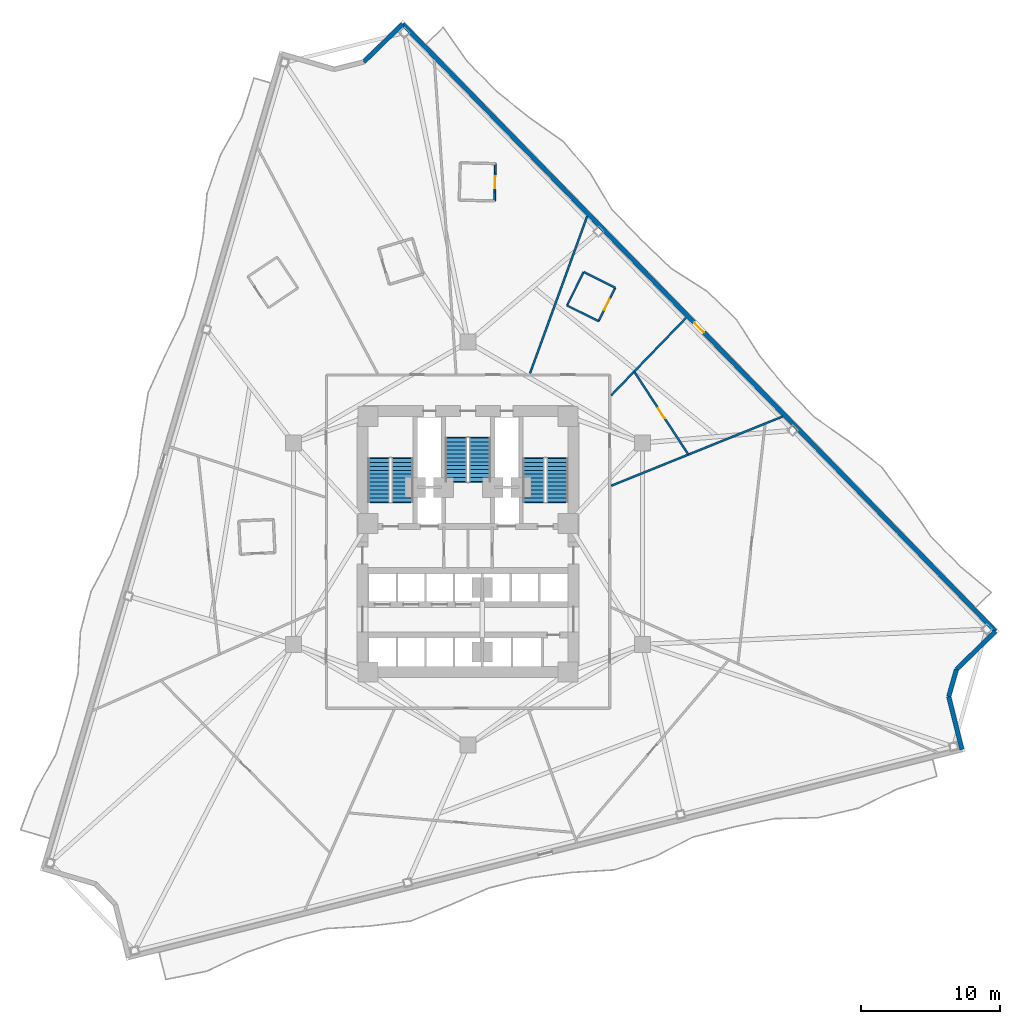
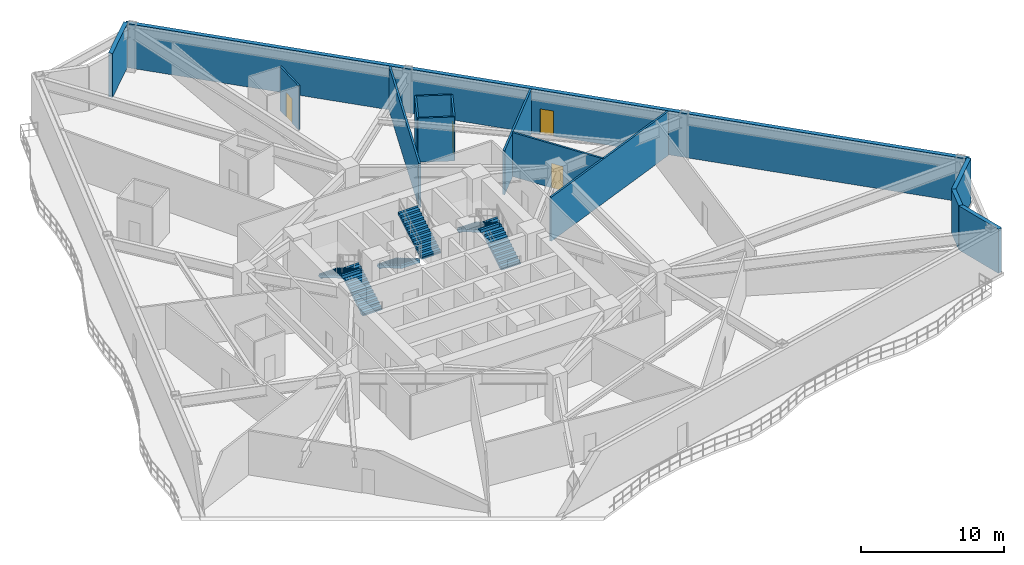
# One storey, part 6 of 10: 14 walls, 6 stair flights, 4 doors, 4 openings, 3 elements without a shape of their own.
"""IFC4 building model written with IfcOpenShell, lengths in metres."""

from ifc_helpers import new_model, si_unit, direction, frame, frame_2d, origin, place, context, subcontext, project, spatial, polyline, rectangle, outline, extrude, material, layer, layer_set, type_object, element, fill, aggregate, save


model = new_model("IFC4")

# Units and contexts
model_context = context("Model", 3, precision=1e-05, world=origin(), true_north=direction((0.0, 1.0)))
body_context = subcontext(model_context, "Body", "Model", "MODEL_VIEW")
ifc_project = project(units=[si_unit("LENGTHUNIT", "METRE"), si_unit("AREAUNIT", "SQUARE_METRE"), si_unit("VOLUMEUNIT", "CUBIC_METRE"), si_unit("PLANEANGLEUNIT", "RADIAN"), si_unit("MASSUNIT", "GRAM", prefix="KILO")], contexts=[model_context])

# Site, building, storey
site_placement = place(None, origin())
site = spatial("IfcSite", under=ifc_project, at=site_placement, CompositionType="ELEMENT")
building_placement = place(site_placement, origin())
building = spatial("IfcBuilding", under=site, at=building_placement, Name="Apsidion Concourse Tower", CompositionType="ELEMENT")
storey_placement = place(building_placement, frame((0.0, 0.0, 99.0)))
storey = spatial("IfcBuildingStorey", under=building, at=storey_placement, Name="L22", CompositionType="ELEMENT", Elevation=99.0)

# Wall, opening, door
ifc_material_1 = material(Name="Precast concrete C40/50", Category="concrete")
ifc_layer_1 = layer(ifc_material_1, 0.320068359375)
ifc_layer_set_1 = layer_set([ifc_layer_1], Name="Precast concrete C40/50")
wall_type_1 = type_object("IfcWallType", Name="WL-EXT-320", PredefinedType="STANDARD", material=ifc_layer_set_1)
wall_1_placement = place(storey_placement, frame((-4.6982421875, 37.40185546875, 0.0), z_axis=(0.0, 0.0, 1.0), x_axis=(0.698490621109, -0.715619208954, 0.0)))
wall_1 = element("IfcWall", 1, at=wall_1_placement, inside=storey, type_object=wall_type_1, Name="L22 Precast Stone Facade Wall 01", PredefinedType="STANDARD", context=body_context, shape_type="SweptSolid", body=[
    extrude(rectangle(XDim=61.075927734375, YDim=0.320068359375, at=frame_2d((30.5380859375, 0.0))), origin(), (0.0, 0.0, 1.0), 3.75),
])
opening_1_placement = place(wall_1_placement, frame((30.037841796875, 0.0, 0.0)))
opening_1 = element("IfcOpeningElement", 2, at=opening_1_placement, cuts=wall_1, Name="Opening D-T1L", PredefinedType="OPENING", context=body_context, shape_type="SweptSolid", body=[
    extrude(rectangle(XDim=1.0, YDim=2.14990234375, at=frame_2d((0.5, 1.074951171875))), frame((0.0, 0.169921875, 0.0), z_axis=(0.0, -1.0, 0.0), x_axis=(1.0, 0.0, 0.0)), (0.0, 0.0, 1.0), 0.340087890625),
])
ifc_material_2 = material(Name="Anodised aluminium EN AW-6063 T6", Category="aluminium")
door_type_1 = type_object("IfcDoorType", Name="DR-TER-1022L", OperationType="SINGLE_SWING_LEFT", PredefinedType="DOOR", material=ifc_material_2)
door_1_placement = place(opening_1_placement, origin())
door_1 = element("IfcDoor", 3, at=door_1_placement, inside=storey, type_object=door_type_1, Name="L22 Balcony Access Door 3", OperationType="SINGLE_SWING_LEFT", OverallHeight=2.14990234375, OverallWidth=1.0, PredefinedType="DOOR", context=body_context, shape_type="SweptSolid", body=[
    extrude(rectangle(XDim=1.0, YDim=2.14990234375, at=frame_2d((0.5, 1.074951171875))), frame((0.0, 0.02490234375, 0.0), z_axis=(0.0, -1.0, 0.0), x_axis=(1.0, 0.0, 0.0)), (0.0, 0.0, 1.0), 0.050048828125),
])
fill(opening_1, door_1)

# Walls
wall_2_placement = place(storey_placement, frame((37.962646484375, -6.30517578125, 0.0), z_axis=(0.0, 0.0, 1.0), x_axis=(-0.71562223009, -0.698487525873, 0.0)))
element("IfcWall", 4, at=wall_2_placement, inside=storey, type_object=wall_type_1, Name="L22 Precast Stone Facade Wall 02", PredefinedType="STANDARD", context=body_context, shape_type="SweptSolid", body=[
    extrude(rectangle(XDim=3.9326171875, YDim=0.320068359375, at=frame_2d((1.96630859375, 0.0))), origin(), (0.0, 0.0, 1.0), 3.75),
])
wall_3_placement = place(storey_placement, frame((35.1484375, -9.052001953125, 0.0), z_axis=(0.0, 0.0, 1.0), x_axis=(-0.27306692697, -0.961995038134, 0.0)))
element("IfcWall", 5, at=wall_3_placement, inside=storey, type_object=wall_type_1, Name="L22 Precast Stone Facade Wall 03", PredefinedType="STANDARD", context=body_context, shape_type="SweptSolid", body=[
    extrude(rectangle(XDim=2.02783203125, YDim=0.320068359375, at=frame_2d((1.013916015625, 0.0))), origin(), (0.0, 0.0, 1.0), 3.75),
])
wall_4_placement = place(storey_placement, frame((34.5947265625, -11.002685546875, 0.0), z_axis=(0.0, 0.0, 1.0), x_axis=(0.241936662418, -0.970292044375, 0.0)))
element("IfcWall", 6, at=wall_4_placement, inside=storey, type_object=wall_type_1, Name="L22 Precast Stone Facade Wall 04", PredefinedType="STANDARD", context=body_context, shape_type="SweptSolid", body=[
    extrude(rectangle(XDim=3.9326171875, YDim=0.320068359375, at=frame_2d((1.96630859375, 0.0))), origin(), (0.0, 0.0, 1.0), 3.75),
])
wall_5_placement = place(storey_placement, frame((-7.51318359375, 34.654296875, 0.0), z_axis=(0.0, 0.0, 1.0), x_axis=(0.715620001602, 0.698489809022, 0.0)))
element("IfcWall", 7, at=wall_5_placement, inside=storey, type_object=wall_type_1, Name="L22 Precast Stone Facade Wall 12", PredefinedType="STANDARD", context=body_context, shape_type="SweptSolid", body=[
    extrude(rectangle(XDim=3.93359375, YDim=0.320068359375, at=frame_2d((1.966796875, 0.0))), origin(), (0.0, 0.0, 1.0), 3.75),
])

# Wall, opening, door
ifc_material_3 = material(Name="Gypsum plasterboard partition")
ifc_layer_2 = layer(ifc_material_3, 0.139892578125)
ifc_layer_set_2 = layer_set([ifc_layer_2], Name="Gypsum plasterboard partition")
wall_type_2 = type_object("IfcWallType", Name="WL-INT-PAR-140", PredefinedType="PARTITIONING", material=ifc_layer_set_2)
wall_6_placement = place(storey_placement, frame((9.3955078125, 16.00537109375, 0.0), z_axis=(0.0, 0.0, 1.0), x_axis=(0.446160506645, 0.894952960949, 0.0)))
wall_6 = element("IfcWall", 8, at=wall_6_placement, inside=storey, type_object=wall_type_2, Name="L22 Interior Partition WL-L22-POD-ENS06-S1", PredefinedType="PARTITIONING", context=body_context, shape_type="SweptSolid", body=[
    extrude(rectangle(XDim=2.68994140625, YDim=0.139892578125, at=frame_2d((1.344970703125, 0.0))), origin(), (0.0, 0.0, 1.0), 3.75),
])
opening_2_placement = place(wall_6_placement, frame((0.905029296875, 0.0, 0.0)))
opening_2 = element("IfcOpeningElement", 9, at=opening_2_placement, cuts=wall_6, Name="Opening D-03L", PredefinedType="OPENING", context=body_context, shape_type="SweptSolid", body=[
    extrude(rectangle(XDim=0.8798828125, YDim=2.10009765625, at=frame_2d((0.43994140625, 1.050048828125))), frame((0.0, 0.080078125, 0.0), z_axis=(0.0, -1.0, 0.0), x_axis=(1.0, 0.0, 0.0)), (0.0, 0.0, 1.0), 0.159912109375),
])
door_type_2 = type_object("IfcDoorType", Name="DR-INT-D03L", OperationType="SINGLE_SWING_LEFT", PredefinedType="DOOR", material=ifc_material_2)
door_2_placement = place(opening_2_placement, origin())
door_2 = element("IfcDoor", 10, at=door_2_placement, inside=storey, type_object=door_type_2, Name="L22 Guest En-Suite Bathroom Door ENS06", OperationType="SINGLE_SWING_LEFT", OverallHeight=2.10009765625, OverallWidth=0.8798828125, PredefinedType="DOOR", context=body_context, shape_type="SweptSolid", body=[
    extrude(rectangle(XDim=0.8798828125, YDim=2.10009765625, at=frame_2d((0.43994140625, 1.050048828125))), frame((0.0, 0.02490234375, 0.0), z_axis=(0.0, -1.0, 0.0), x_axis=(1.0, 0.0, 0.0)), (0.0, 0.0, 1.0), 0.050048828125),
])
fill(opening_2, door_2)

# Walls
wall_7_placement = place(storey_placement, frame((10.595703125, 18.412841796875, 0.0), z_axis=(0.0, 0.0, 1.0), x_axis=(-0.894926483842, 0.446213613103, 0.0)))
element("IfcWall", 11, at=wall_7_placement, inside=storey, type_object=wall_type_2, Name="L22 Interior Partition WL-L22-POD-ENS06-S2", PredefinedType="PARTITIONING", context=body_context, shape_type="SweptSolid", body=[
    extrude(rectangle(XDim=2.539794921875, YDim=0.139892578125, at=frame_2d((1.27001953125, 0.0))), origin(), (0.0, 0.0, 1.0), 3.75),
])
wall_8_placement = place(storey_placement, frame((8.32275390625, 19.546142578125, 0.0), z_axis=(0.0, 0.0, 1.0), x_axis=(-0.446233193066, -0.894916720933, 0.0)))
element("IfcWall", 12, at=wall_8_placement, inside=storey, type_object=wall_type_2, Name="L22 Interior Partition WL-L22-POD-ENS06-S3", PredefinedType="PARTITIONING", context=body_context, shape_type="SweptSolid", body=[
    extrude(rectangle(XDim=2.690185546875, YDim=0.139892578125, at=frame_2d((1.34521484375, 0.0))), origin(), (0.0, 0.0, 1.0), 3.75),
])
wall_9_placement = place(storey_placement, frame((7.122314453125, 17.138671875, 0.0), z_axis=(0.0, 0.0, 1.0), x_axis=(0.894945620552, -0.446175230437, 0.0)))
element("IfcWall", 13, at=wall_9_placement, inside=storey, type_object=wall_type_2, Name="L22 Interior Partition WL-L22-POD-ENS06-S4", PredefinedType="PARTITIONING", context=body_context, shape_type="SweptSolid", body=[
    extrude(rectangle(XDim=2.5400390625, YDim=0.139892578125, at=frame_2d((1.27001953125, 0.0))), origin(), (0.0, 0.0, 1.0), 3.75),
])

# Wall, opening, door
wall_10_placement = place(storey_placement, frame((1.906005859375, 24.6572265625, 0.0), z_axis=(0.0, 0.0, 1.0), x_axis=(0.026227923811, 0.999655988834, 0.0)))
wall_10 = element("IfcWall", 14, at=wall_10_placement, inside=storey, type_object=wall_type_2, Name="L22 Interior Partition WL-L22-POD-ENS07-S1", PredefinedType="PARTITIONING", context=body_context, shape_type="SweptSolid", body=[
    extrude(rectangle(XDim=2.690185546875, YDim=0.139892578125, at=frame_2d((1.34521484375, 0.0))), origin(), (0.0, 0.0, 1.0), 3.75),
])
opening_3_placement = place(wall_10_placement, frame((0.905029296875, 0.0, 0.0)))
opening_3 = element("IfcOpeningElement", 15, at=opening_3_placement, cuts=wall_10, Name="Opening D-03R", PredefinedType="OPENING", context=body_context, shape_type="SweptSolid", body=[
    extrude(rectangle(XDim=0.8798828125, YDim=2.10009765625, at=frame_2d((0.43994140625, 1.050048828125))), frame((0.0, 0.080078125, 0.0), z_axis=(0.0, -1.0, 0.0), x_axis=(1.0, 0.0, 0.0)), (0.0, 0.0, 1.0), 0.159912109375),
])
door_type_3 = type_object("IfcDoorType", Name="DR-INT-D03R", OperationType="SINGLE_SWING_RIGHT", PredefinedType="DOOR", material=ifc_material_2)
door_3_placement = place(opening_3_placement, origin())
door_3 = element("IfcDoor", 16, at=door_3_placement, inside=storey, type_object=door_type_3, Name="L22 Guest En-Suite Bathroom Door ENS07", OperationType="SINGLE_SWING_RIGHT", OverallHeight=2.10009765625, OverallWidth=0.8798828125, PredefinedType="DOOR", context=body_context, shape_type="SweptSolid", body=[
    extrude(rectangle(XDim=0.8798828125, YDim=2.10009765625, at=frame_2d((0.43994140625, 1.050048828125))), frame((0.0, 0.02490234375, 0.0), z_axis=(0.0, -1.0, 0.0), x_axis=(1.0, 0.0, 0.0)), (0.0, 0.0, 1.0), 0.050048828125),
])
fill(opening_3, door_3)

# Walls
ifc_layer_3 = layer(ifc_material_3, 0.14990234375)
ifc_layer_set_3 = layer_set([ifc_layer_3], Name="Gypsum plasterboard partition")
wall_type_3 = type_object("IfcWallType", Name="WL-INT-PAR-150", PredefinedType="PARTITIONING", material=ifc_layer_set_3)
wall_11_placement = place(storey_placement, frame((10.304931640625, 4.16357421875, 0.0), z_axis=(0.0, 0.0, 1.0), x_axis=(0.927184955732, 0.374603867924, 0.0)))
element("IfcWall", 17, at=wall_11_placement, inside=storey, type_object=wall_type_3, Name="L22 Interior Partition WL-L22-RAD-01-1", PredefinedType="PARTITIONING", context=body_context, shape_type="SweptSolid", body=[
    extrude(rectangle(XDim=13.300537109375, YDim=0.14990234375, at=frame_2d((6.650390625, 0.0))), origin(), (0.0, 0.0, 1.0), 3.75),
])
wall_12_placement = place(storey_placement, frame((10.304931640625, 10.671142578125, 0.0), z_axis=(0.0, 0.0, 1.0), x_axis=(0.694655126392, 0.719342933084, 0.0)))
element("IfcWall", 18, at=wall_12_placement, inside=storey, type_object=wall_type_3, Name="L22 Interior Partition WL-L22-RAD-02-1", PredefinedType="PARTITIONING", context=body_context, shape_type="SweptSolid", body=[
    extrude(rectangle(XDim=7.762939453125, YDim=0.14990234375, at=frame_2d((3.88134765625, 0.0))), origin(), (0.0, 0.0, 1.0), 3.75),
])
wall_13_placement = place(storey_placement, frame((4.46044921875, 12.2548828125, 0.0), z_axis=(0.0, 0.0, 1.0), x_axis=(0.34202669869, 0.939690234802, 0.0)))
element("IfcWall", 19, at=wall_13_placement, inside=storey, type_object=wall_type_3, Name="L22 Interior Partition WL-L22-RAD-03-1", PredefinedType="PARTITIONING", context=body_context, shape_type="SweptSolid", body=[
    extrude(rectangle(XDim=12.024658203125, YDim=0.14990234375, at=frame_2d((6.01220703125, 0.0))), origin(), (0.0, 0.0, 1.0), 3.75),
])

# Wall, opening, door
wall_14_placement = place(storey_placement, frame((15.84521484375, 6.4287109375, 0.0), z_axis=(0.0, 0.0, 1.0), x_axis=(-0.546642971472, 0.8373657873, 0.0)))
wall_14 = element("IfcWall", 20, at=wall_14_placement, inside=storey, type_object=wall_type_3, Name="L22 Interior Partition WL-L22-CHD-H8G05", PredefinedType="PARTITIONING", context=body_context, shape_type="SweptSolid", body=[
    extrude(rectangle(XDim=7.085205078125, YDim=0.14990234375, at=frame_2d((3.54248046875, 0.0))), origin(), (0.0, 0.0, 1.0), 3.75),
])
opening_4_placement = place(wall_14_placement, frame((3.092529296875, 0.0, 0.0)))
opening_4 = element("IfcOpeningElement", 21, at=opening_4_placement, cuts=wall_14, Name="Opening D-02R", PredefinedType="OPENING", context=body_context, shape_type="SweptSolid", body=[
    extrude(rectangle(XDim=0.89990234375, YDim=2.10009765625, at=frame_2d((0.449951171875, 1.050048828125))), frame((0.0, 0.0849609375, 0.0), z_axis=(0.0, -1.0, 0.0), x_axis=(1.0, 0.0, 0.0)), (0.0, 0.0, 1.0), 0.169921875),
])
door_type_4 = type_object("IfcDoorType", Name="DR-INT-D02R", OperationType="SINGLE_SWING_RIGHT", PredefinedType="DOOR", material=ifc_material_2)
door_4_placement = place(opening_4_placement, origin())
door_4 = element("IfcDoor", 22, at=door_4_placement, inside=storey, type_object=door_type_4, Name="L22 Suite Connecting Door H8G05", OperationType="SINGLE_SWING_RIGHT", OverallHeight=2.10009765625, OverallWidth=0.89990234375, PredefinedType="DOOR", context=body_context, shape_type="SweptSolid", body=[
    extrude(rectangle(XDim=0.89990234375, YDim=2.10009765625, at=frame_2d((0.449951171875, 1.050048828125))), frame((0.0, 0.02490234375, 0.0), z_axis=(0.0, -1.0, 0.0), x_axis=(1.0, 0.0, 0.0)), (0.0, 0.0, 1.0), 0.050048828125),
])
fill(opening_4, door_4)

# Stair, stair flights
stair_type = type_object("IfcStairType", Name="ST-DL-1550", PredefinedType="HALF_TURN_STAIR", material=ifc_material_1)
stair_1_placement = place(storey_placement, origin())
stair_1 = element("IfcStair", 23, at=stair_1_placement, inside=storey, type_object=stair_type, Name="L22 Protected Core Exit Stair ST1", PredefinedType="HALF_TURN_STAIR")
stair_flight_type = type_object("IfcStairFlightType", Name="SFL-RC-1550", PredefinedType="STRAIGHT", material=ifc_material_1)
stair_flight_1_placement = place(storey_placement, frame((-4.72509765625, 3.0, 0.0), z_axis=(0.0, 0.0, 1.0), x_axis=(0.0, 1.0, 0.0)))
stair_flight_1 = element("IfcStairFlight", 24, at=stair_flight_1_placement, type_object=stair_flight_type, Name="ST1 flight 1", NumberOfRisers=12, NumberOfTreads=11, PredefinedType="STRAIGHT", RiserHeight=0.166666667, TreadLength=0.285, context=body_context, shape_type="SweptSolid", body=[
    extrude(outline(polyline([(-0.080078125, -0.1123046875), (-0.080078125, 0.0), (0.0, 0.0), (0.0, 0.166748046875), (0.284912109375, 0.166748046875), (0.284912109375, 0.333251953125), (0.570068359375, 0.333251953125), (0.570068359375, 0.5), (0.85498046875, 0.5), (0.85498046875, 0.666748046875), (1.139892578125, 0.666748046875), (1.139892578125, 0.833251953125), (1.425048828125, 0.833251953125), (1.425048828125, 1.0), (1.7099609375, 1.0), (1.7099609375, 1.166748046875), (1.9951171875, 1.166748046875), (1.9951171875, 1.333251953125), (2.280029296875, 1.333251953125), (2.280029296875, 1.5), (2.56494140625, 1.5), (2.56494140625, 1.666748046875), (2.85009765625, 1.666748046875), (2.85009765625, 1.833251953125), (3.135009765625, 1.833251953125), (3.135009765625, 2.0), (3.215087890625, 1.916748046875), (3.215087890625, 1.65966796875), (3.135009765625, 1.65966796875), (0.296875, 0.0), (0.296875, -0.1123046875), (-0.080078125, -0.1123046875)])), frame((0.0, 0.77490234375, 0.0), z_axis=(0.0, -1.0, 0.0), x_axis=(1.0, 0.0, 0.0)), (0.0, 0.0, 1.0), 1.550048828125),
])
stair_flight_2_placement = place(storey_placement, frame((-6.425048828125, 6.135009765625, 2.0), z_axis=(0.0, 0.0, 1.0), x_axis=(0.0, -1.0, 0.0)))
stair_flight_2 = element("IfcStairFlight", 25, at=stair_flight_2_placement, type_object=stair_flight_type, Name="ST1 flight 2", NumberOfRisers=12, NumberOfTreads=11, PredefinedType="STRAIGHT", RiserHeight=0.166666667, TreadLength=0.285, context=body_context, shape_type="SweptSolid", body=[
    extrude(outline(polyline([(-0.080078125, -0.1123046875), (-0.080078125, 0.0), (0.0, 0.0), (0.0, 0.166748046875), (0.284912109375, 0.166748046875), (0.284912109375, 0.333251953125), (0.570068359375, 0.333251953125), (0.570068359375, 0.5), (0.85498046875, 0.5), (0.85498046875, 0.666748046875), (1.139892578125, 0.666748046875), (1.139892578125, 0.833251953125), (1.425048828125, 0.833251953125), (1.425048828125, 1.0), (1.7099609375, 1.0), (1.7099609375, 1.166748046875), (1.9951171875, 1.166748046875), (1.9951171875, 1.333251953125), (2.280029296875, 1.333251953125), (2.280029296875, 1.5), (2.56494140625, 1.5), (2.56494140625, 1.666748046875), (2.85009765625, 1.666748046875), (2.85009765625, 1.833251953125), (3.135009765625, 1.833251953125), (3.135009765625, 2.0), (3.215087890625, 1.916748046875), (3.215087890625, 1.65966796875), (3.135009765625, 1.65966796875), (0.296875, 0.0), (0.296875, -0.1123046875), (-0.080078125, -0.1123046875)])), frame((0.0, 0.77490234375, 0.0), z_axis=(0.0, -1.0, 0.0), x_axis=(1.0, 0.0, 0.0)), (0.0, 0.0, 1.0), 1.550048828125),
])
aggregate(stair_1, [stair_flight_1, stair_flight_2])

stair_2_placement = place(storey_placement, origin())
stair_2 = element("IfcStair", 26, at=stair_2_placement, inside=storey, type_object=stair_type, Name="L22 Protected Core Exit Stair ST2", PredefinedType="HALF_TURN_STAIR")
stair_flight_3_placement = place(storey_placement, frame((6.425048828125, 3.0, 0.0), z_axis=(0.0, 0.0, 1.0), x_axis=(0.0, 1.0, 0.0)))
stair_flight_3 = element("IfcStairFlight", 27, at=stair_flight_3_placement, type_object=stair_flight_type, Name="ST2 flight 1", NumberOfRisers=12, NumberOfTreads=11, PredefinedType="STRAIGHT", RiserHeight=0.166666667, TreadLength=0.285, context=body_context, shape_type="SweptSolid", body=[
    extrude(outline(polyline([(-0.080078125, -0.1123046875), (-0.080078125, 0.0), (0.0, 0.0), (0.0, 0.166748046875), (0.284912109375, 0.166748046875), (0.284912109375, 0.333251953125), (0.570068359375, 0.333251953125), (0.570068359375, 0.5), (0.85498046875, 0.5), (0.85498046875, 0.666748046875), (1.139892578125, 0.666748046875), (1.139892578125, 0.833251953125), (1.425048828125, 0.833251953125), (1.425048828125, 1.0), (1.7099609375, 1.0), (1.7099609375, 1.166748046875), (1.9951171875, 1.166748046875), (1.9951171875, 1.333251953125), (2.280029296875, 1.333251953125), (2.280029296875, 1.5), (2.56494140625, 1.5), (2.56494140625, 1.666748046875), (2.85009765625, 1.666748046875), (2.85009765625, 1.833251953125), (3.135009765625, 1.833251953125), (3.135009765625, 2.0), (3.215087890625, 1.916748046875), (3.215087890625, 1.65966796875), (3.135009765625, 1.65966796875), (0.296875, 0.0), (0.296875, -0.1123046875), (-0.080078125, -0.1123046875)])), frame((0.0, 0.77490234375, 0.0), z_axis=(0.0, -1.0, 0.0), x_axis=(1.0, 0.0, 0.0)), (0.0, 0.0, 1.0), 1.550048828125),
])
stair_flight_4_placement = place(storey_placement, frame((4.72509765625, 6.135009765625, 2.0), z_axis=(0.0, 0.0, 1.0), x_axis=(0.0, -1.0, 0.0)))
stair_flight_4 = element("IfcStairFlight", 28, at=stair_flight_4_placement, type_object=stair_flight_type, Name="ST2 flight 2", NumberOfRisers=12, NumberOfTreads=11, PredefinedType="STRAIGHT", RiserHeight=0.166666667, TreadLength=0.285, context=body_context, shape_type="SweptSolid", body=[
    extrude(outline(polyline([(-0.080078125, -0.1123046875), (-0.080078125, 0.0), (0.0, 0.0), (0.0, 0.166748046875), (0.284912109375, 0.166748046875), (0.284912109375, 0.333251953125), (0.570068359375, 0.333251953125), (0.570068359375, 0.5), (0.85498046875, 0.5), (0.85498046875, 0.666748046875), (1.139892578125, 0.666748046875), (1.139892578125, 0.833251953125), (1.425048828125, 0.833251953125), (1.425048828125, 1.0), (1.7099609375, 1.0), (1.7099609375, 1.166748046875), (1.9951171875, 1.166748046875), (1.9951171875, 1.333251953125), (2.280029296875, 1.333251953125), (2.280029296875, 1.5), (2.56494140625, 1.5), (2.56494140625, 1.666748046875), (2.85009765625, 1.666748046875), (2.85009765625, 1.833251953125), (3.135009765625, 1.833251953125), (3.135009765625, 2.0), (3.215087890625, 1.916748046875), (3.215087890625, 1.65966796875), (3.135009765625, 1.65966796875), (0.296875, 0.0), (0.296875, -0.1123046875), (-0.080078125, -0.1123046875)])), frame((0.0, 0.77490234375, 0.0), z_axis=(0.0, -1.0, 0.0), x_axis=(1.0, 0.0, 0.0)), (0.0, 0.0, 1.0), 1.550048828125),
])
aggregate(stair_2, [stair_flight_3, stair_flight_4])

stair_3_placement = place(storey_placement, origin())
stair_3 = element("IfcStair", 29, at=stair_3_placement, inside=storey, type_object=stair_type, Name="L22 Protected Core Exit Stair ST3", PredefinedType="HALF_TURN_STAIR")
stair_flight_5_placement = place(storey_placement, frame((-0.85009765625, 7.60009765625, 0.0), z_axis=(0.0, 0.0, 1.0), x_axis=(0.0, -1.0, 0.0)))
stair_flight_5 = element("IfcStairFlight", 30, at=stair_flight_5_placement, type_object=stair_flight_type, Name="ST3 flight 1", NumberOfRisers=12, NumberOfTreads=11, PredefinedType="STRAIGHT", RiserHeight=0.166666667, TreadLength=0.285, context=body_context, shape_type="SweptSolid", body=[
    extrude(outline(polyline([(-0.080078125, -0.1123046875), (-0.080078125, 0.0), (0.0, 0.0), (0.0, 0.166748046875), (0.284912109375, 0.166748046875), (0.284912109375, 0.333251953125), (0.570068359375, 0.333251953125), (0.570068359375, 0.5), (0.85498046875, 0.5), (0.85498046875, 0.666748046875), (1.139892578125, 0.666748046875), (1.139892578125, 0.833251953125), (1.425048828125, 0.833251953125), (1.425048828125, 1.0), (1.7099609375, 1.0), (1.7099609375, 1.166748046875), (1.9951171875, 1.166748046875), (1.9951171875, 1.333251953125), (2.280029296875, 1.333251953125), (2.280029296875, 1.5), (2.56494140625, 1.5), (2.56494140625, 1.666748046875), (2.85009765625, 1.666748046875), (2.85009765625, 1.833251953125), (3.135009765625, 1.833251953125), (3.135009765625, 2.0), (3.215087890625, 1.916748046875), (3.215087890625, 1.65966796875), (3.135009765625, 1.65966796875), (0.296875, 0.0), (0.296875, -0.1123046875), (-0.080078125, -0.1123046875)])), frame((0.0, 0.77490234375, 0.0), z_axis=(0.0, -1.0, 0.0), x_axis=(1.0, 0.0, 0.0)), (0.0, 0.0, 1.0), 1.550048828125),
])
stair_flight_6_placement = place(storey_placement, frame((0.85009765625, 4.465087890625, 2.0), z_axis=(0.0, 0.0, 1.0), x_axis=(0.0, 1.0, 0.0)))
stair_flight_6 = element("IfcStairFlight", 31, at=stair_flight_6_placement, type_object=stair_flight_type, Name="ST3 flight 2", NumberOfRisers=12, NumberOfTreads=11, PredefinedType="STRAIGHT", RiserHeight=0.166666667, TreadLength=0.285, context=body_context, shape_type="SweptSolid", body=[
    extrude(outline(polyline([(-0.080078125, -0.1123046875), (-0.080078125, 0.0), (0.0, 0.0), (0.0, 0.166748046875), (0.284912109375, 0.166748046875), (0.284912109375, 0.333251953125), (0.570068359375, 0.333251953125), (0.570068359375, 0.5), (0.85498046875, 0.5), (0.85498046875, 0.666748046875), (1.139892578125, 0.666748046875), (1.139892578125, 0.833251953125), (1.425048828125, 0.833251953125), (1.425048828125, 1.0), (1.7099609375, 1.0), (1.7099609375, 1.166748046875), (1.9951171875, 1.166748046875), (1.9951171875, 1.333251953125), (2.280029296875, 1.333251953125), (2.280029296875, 1.5), (2.56494140625, 1.5), (2.56494140625, 1.666748046875), (2.85009765625, 1.666748046875), (2.85009765625, 1.833251953125), (3.135009765625, 1.833251953125), (3.135009765625, 2.0), (3.215087890625, 1.916748046875), (3.215087890625, 1.65966796875), (3.135009765625, 1.65966796875), (0.296875, 0.0), (0.296875, -0.1123046875), (-0.080078125, -0.1123046875)])), frame((0.0, 0.77490234375, 0.0), z_axis=(0.0, -1.0, 0.0), x_axis=(1.0, 0.0, 0.0)), (0.0, 0.0, 1.0), 1.550048828125),
])
aggregate(stair_3, [stair_flight_5, stair_flight_6])

save(model, "model.ifc")
